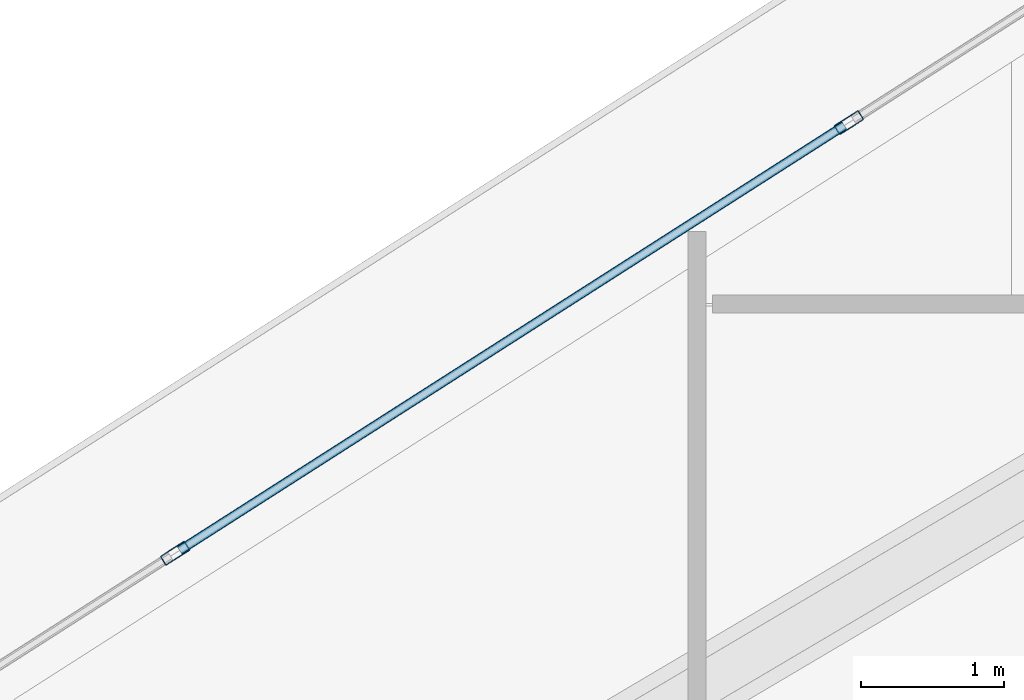
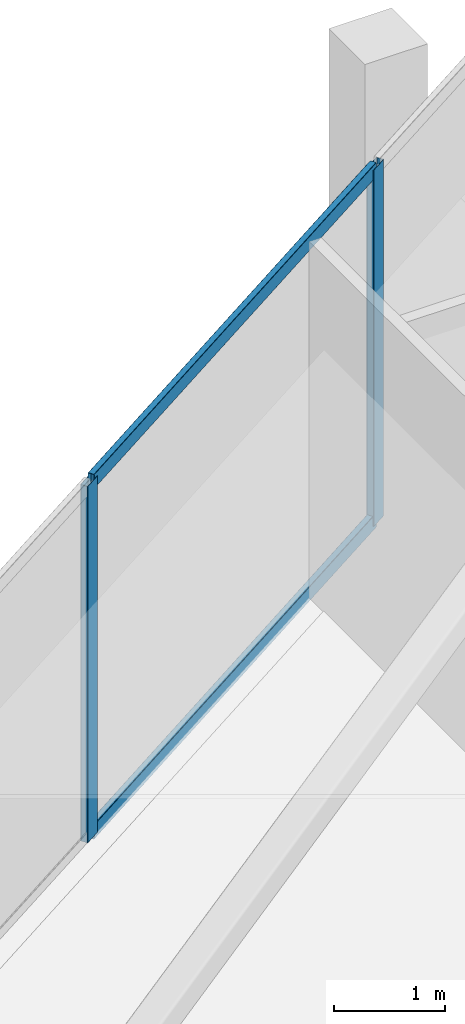
# One storey, part 15 of 34: 4 members, 1 element without a shape of its own.
"""IFC4 building model written with IfcOpenShell, lengths in metres."""

from ifc_helpers import new_model, si_unit, direction, frame, origin, origin_2d, place, context, subcontext, project, spatial, hollow_rectangle, extrude, material, layer, layer_set, material_profile, profile_set, type_object, element, aggregate, save


model = new_model("IFC4")

# Units and contexts
model_context = context("Model", 3, precision=1e-05, world=origin(), true_north=direction((0.0, 1.0)))
body_context = subcontext(model_context, "Body", "Model", "MODEL_VIEW")
ifc_project = project(units=[si_unit("LENGTHUNIT", "METRE"), si_unit("AREAUNIT", "SQUARE_METRE"), si_unit("VOLUMEUNIT", "CUBIC_METRE"), si_unit("PLANEANGLEUNIT", "RADIAN"), si_unit("MASSUNIT", "GRAM", prefix="KILO")], contexts=[model_context])

# Site, building, storey
site_placement = place(None, origin())
site = spatial("IfcSite", under=ifc_project, at=site_placement, CompositionType="ELEMENT")
building_placement = place(site_placement, origin())
building = spatial("IfcBuilding", under=site, at=building_placement, Name="Qorvath Tower", CompositionType="ELEMENT")
storey_placement = place(building_placement, frame((0.0, 0.0, 276.60009765625)))
storey = spatial("IfcBuildingStorey", under=building, at=storey_placement, Name="L64", CompositionType="ELEMENT", Elevation=276.60009765625)

# Curtain wall, members
ifc_material_1 = material(Name="Anodised aluminium and triple low-E glass", Category="aluminium")
ifc_layer = layer(ifc_material_1, 0.179931640625)
ifc_layer_set = layer_set([ifc_layer], Name="CW-SYS-4")
curtain_wall_type = type_object("IfcCurtainWallType", Name="CW-SYS-4", PredefinedType="NOTDEFINED", material=ifc_layer_set)
curtain_wall_placement = place(storey_placement, origin())
curtain_wall = element("IfcCurtainWall", 1, at=curtain_wall_placement, inside=storey, type_object=curtain_wall_type, Name="Curtain Wall CW-4 CW-T-L64-16.1", PredefinedType="NOTDEFINED")
ifc_material_2 = material(Name="Anodised aluminium 6063-T6", Category="aluminium")
ifc_material_profile_1 = material_profile(ifc_material_2, hollow_rectangle(XDim=0.074951171875, YDim=0.199951171875, WallThickness=0.00390625, InnerFilletRadius=0.00390625, OuterFilletRadius=0.008056640625, at=origin_2d()), Name="CWM 200x75")
ifc_profile_set_1 = profile_set([ifc_material_profile_1], Name="Anodised aluminium 6063-T6")
member_type_1 = type_object("IfcMemberType", Name="CWM-200", PredefinedType="MULLION", material=ifc_profile_set_1)
member_1_placement = place(storey_placement, frame((-36.796630859375, 12.023681640625, 0.0), z_axis=(0.0, 0.0, 1.0), x_axis=(0.538533509281, -0.842604094093, 0.0)))
member_1 = element("IfcMember", 2, at=member_1_placement, type_object=member_type_1, Name="CW-4 mullion 5", PredefinedType="MULLION", context=body_context, shape_type="SweptSolid", body=[
    extrude(hollow_rectangle(XDim=0.074951171875, YDim=0.199951171875, WallThickness=0.00390625, InnerFilletRadius=0.00390625, OuterFilletRadius=0.008056640625, at=origin_2d()), origin(), (0.0, 0.0, 1.0), 3.909912109375),
])
member_2_placement = place(storey_placement, frame((-41.5, 9.017822265625, 0.0), z_axis=(0.0, 0.0, 1.0), x_axis=(0.538533509281, -0.842604094093, 0.0)))
member_2 = element("IfcMember", 3, at=member_2_placement, type_object=member_type_1, Name="CW-4 mullion 6", PredefinedType="MULLION", context=body_context, shape_type="SweptSolid", body=[
    extrude(hollow_rectangle(XDim=0.074951171875, YDim=0.199951171875, WallThickness=0.00390625, InnerFilletRadius=0.00390625, OuterFilletRadius=0.008056640625, at=origin_2d()), origin(), (0.0, 0.0, 1.0), 3.909912109375),
])
ifc_material_3 = material(Name="Anodised aluminium 6063-T6", Category="aluminium")
ifc_material_profile_2 = material_profile(ifc_material_3, hollow_rectangle(XDim=0.06494140625, YDim=0.159912109375, WallThickness=0.00341796875, InnerFilletRadius=0.00341796875, OuterFilletRadius=0.007080078125, at=origin_2d()), Name="CWT 160x65")
ifc_profile_set_2 = profile_set([ifc_material_profile_2], Name="Anodised aluminium 6063-T6")
member_type_2 = type_object("IfcMemberType", Name="CWT-160", PredefinedType="USERDEFINED", material=ifc_profile_set_2)
member_3_placement = place(storey_placement, frame((-36.828369140625, 12.00341796875, 0.032470703125), z_axis=(-0.842597346925, -0.538544065935, 0.0), x_axis=(0.538544065935, -0.842597346925, 0.0)))
member_3 = element("IfcMember", 4, at=member_3_placement, type_object=member_type_2, Name="CW-4 transom 5.1", ObjectType="TRANSOM", PredefinedType="USERDEFINED", context=body_context, shape_type="SweptSolid", body=[
    extrude(hollow_rectangle(XDim=0.06494140625, YDim=0.159912109375, WallThickness=0.00341796875, InnerFilletRadius=0.00341796875, OuterFilletRadius=0.007080078125, at=origin_2d()), origin(), (0.0, 0.0, 1.0), 5.506591796875),
])
member_4_placement = place(storey_placement, frame((-36.828369140625, 12.00341796875, 3.87744140625), z_axis=(-0.842597346925, -0.538544065935, 0.0), x_axis=(0.538544065935, -0.842597346925, 0.0)))
member_4 = element("IfcMember", 5, at=member_4_placement, type_object=member_type_2, Name="CW-4 transom 5.2", ObjectType="TRANSOM", PredefinedType="USERDEFINED", context=body_context, shape_type="SweptSolid", body=[
    extrude(hollow_rectangle(XDim=0.06494140625, YDim=0.159912109375, WallThickness=0.00341796875, InnerFilletRadius=0.00341796875, OuterFilletRadius=0.007080078125, at=origin_2d()), origin(), (0.0, 0.0, 1.0), 5.506591796875),
])
aggregate(curtain_wall, [member_1, member_2, member_3, member_4])

save(model, "model.ifc")
